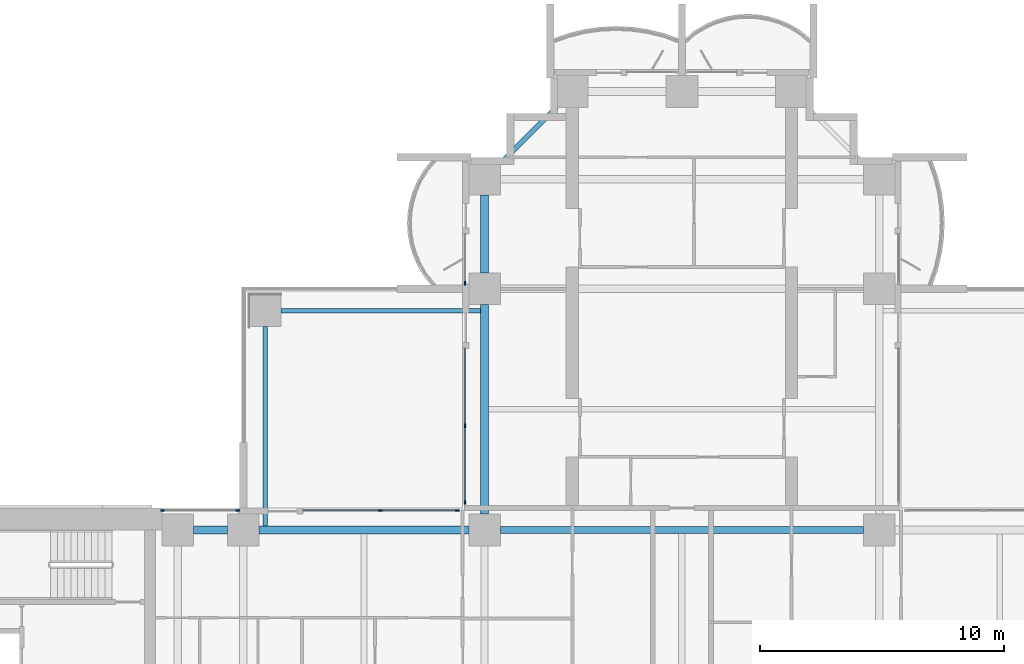
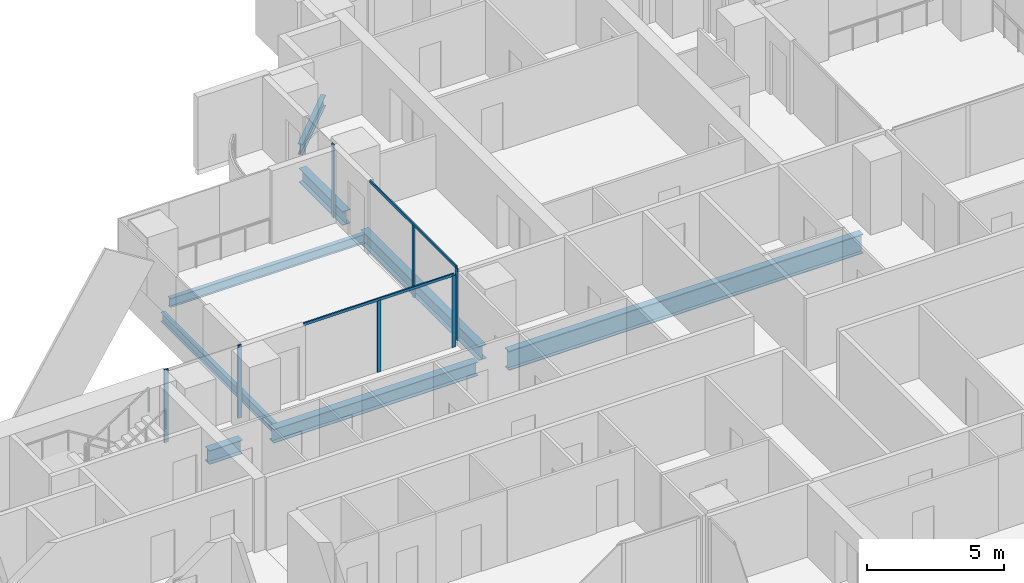
# One storey, part 6 of 21: 9 members, 8 beams, 4 elements without a shape of their own.
"""IFC4 building model written with IfcOpenShell, lengths in metres."""

from ifc_helpers import new_model, si_unit, direction, frame, origin, origin_2d, place, context, subcontext, project, spatial, rectangle, i_section, extrude, material, material_profile, profile_set, type_object, element, aggregate, save


model = new_model("IFC4")

# Units and contexts
model_context = context("Model", 3, precision=1e-05, world=origin(), true_north=direction((0.0, 1.0)))
body_context = subcontext(model_context, "Body", "Model", "MODEL_VIEW")
ifc_project = project(units=[si_unit("LENGTHUNIT", "METRE"), si_unit("AREAUNIT", "SQUARE_METRE"), si_unit("VOLUMEUNIT", "CUBIC_METRE"), si_unit("PLANEANGLEUNIT", "RADIAN"), si_unit("MASSUNIT", "GRAM", prefix="KILO")], contexts=[model_context])

# Site, building, storey
site_placement = place(None, origin())
site = spatial("IfcSite", under=ifc_project, at=site_placement, CompositionType="ELEMENT")
building_placement = place(site_placement, origin())
building = spatial("IfcBuilding", under=site, at=building_placement, Name="Perihelion Cross Residences", CompositionType="ELEMENT")
storey_placement = place(building_placement, frame((0.0, 0.0, 75.0)))
storey = spatial("IfcBuildingStorey", under=building, at=storey_placement, Name="L16", CompositionType="ELEMENT", Elevation=75.0)

# Curtain wall, member
ifc_material_1 = material(Name="Bronze anodised aluminium, tinted glazing", Category="aluminium")
curtain_wall_type = type_object("IfcCurtainWallType", Name="CW1", PredefinedType="NOTDEFINED", material=ifc_material_1)
curtain_wall_1_placement = place(storey_placement, origin())
curtain_wall_1 = element("IfcCurtainWall", 1, at=curtain_wall_1_placement, inside=storey, type_object=curtain_wall_type, Name="Curtain wall CW1 L16 north side west bay 1", PredefinedType="NOTDEFINED")
ifc_material_2 = material(Name="Bronze anodised aluminium", Category="aluminium")
ifc_material_profile_1 = material_profile(ifc_material_2, rectangle(XDim=0.06005859375, YDim=0.159912109375, at=origin_2d()), Name="CW1 mullion")
ifc_profile_set_1 = profile_set([ifc_material_profile_1], Name="Bronze anodised aluminium")
member_type_1 = type_object("IfcMemberType", Name="CW1 mullion", PredefinedType="MULLION", material=ifc_profile_set_1)
member_1_placement = place(storey_placement, frame((-8.89990234375, 18.22998046875, 0.0), z_axis=(0.0, 0.0, 1.0), x_axis=(1.0, 0.0, 0.0)))
member_1 = element("IfcMember", 2, at=member_1_placement, type_object=member_type_1, Name="CW1 mullion 2", PredefinedType="MULLION", context=body_context, shape_type="SweptSolid", body=[
    extrude(rectangle(XDim=0.06005859375, YDim=0.159912109375, at=origin_2d()), origin(), (0.0, 0.0, 1.0), 3.25),
])
aggregate(curtain_wall_1, [member_1])

# Curtain wall, members
curtain_wall_2_placement = place(storey_placement, origin())
curtain_wall_2 = element("IfcCurtainWall", 3, at=curtain_wall_2_placement, inside=storey, type_object=curtain_wall_type, Name="Curtain wall CW1 L16 north side west bay 2", PredefinedType="NOTDEFINED")
member_2_placement = place(storey_placement, frame((-8.89990234375, 12.375, 0.0), z_axis=(0.0, 0.0, 1.0), x_axis=(1.0, 0.0, 0.0)))
member_2 = element("IfcMember", 4, at=member_2_placement, type_object=member_type_1, Name="CW1 mullion 2", PredefinedType="MULLION", context=body_context, shape_type="SweptSolid", body=[
    extrude(rectangle(XDim=0.06005859375, YDim=0.159912109375, at=origin_2d()), origin(), (0.0, 0.0, 1.0), 3.18994140625),
])
member_3_placement = place(storey_placement, frame((-8.89990234375, 9.22998046875, 0.0), z_axis=(0.0, 0.0, 1.0), x_axis=(1.0, 0.0, 0.0)))
member_3 = element("IfcMember", 5, at=member_3_placement, type_object=member_type_1, Name="CW1 mullion 3", PredefinedType="MULLION", context=body_context, shape_type="SweptSolid", body=[
    extrude(rectangle(XDim=0.06005859375, YDim=0.159912109375, at=origin_2d()), origin(), (0.0, 0.0, 1.0), 3.18994140625),
])

curtain_wall_3_placement = place(storey_placement, origin())
curtain_wall_3 = element("IfcCurtainWall", 6, at=curtain_wall_3_placement, inside=storey, type_object=curtain_wall_type, Name="Curtain wall CW1 L16 west side north bay 1", PredefinedType="NOTDEFINED")
member_4_placement = place(storey_placement, frame((-9.22998046875, 8.89990234375, 0.0), z_axis=(0.0, 0.0, 1.0), x_axis=(0.0, -1.0, 0.0)))
member_4 = element("IfcMember", 7, at=member_4_placement, type_object=member_type_1, Name="CW1 mullion 1", PredefinedType="MULLION", context=body_context, shape_type="SweptSolid", body=[
    extrude(rectangle(XDim=0.06005859375, YDim=0.159912109375, at=origin_2d()), origin(), (0.0, 0.0, 1.0), 3.18994140625),
])
member_5_placement = place(storey_placement, frame((-12.375, 8.89990234375, 0.0), z_axis=(0.0, 0.0, 1.0), x_axis=(0.0, -1.0, 0.0)))
member_5 = element("IfcMember", 8, at=member_5_placement, type_object=member_type_1, Name="CW1 mullion 2", PredefinedType="MULLION", context=body_context, shape_type="SweptSolid", body=[
    extrude(rectangle(XDim=0.06005859375, YDim=0.159912109375, at=origin_2d()), origin(), (0.0, 0.0, 1.0), 3.18994140625),
])

curtain_wall_4_placement = place(storey_placement, origin())
curtain_wall_4 = element("IfcCurtainWall", 9, at=curtain_wall_4_placement, inside=storey, type_object=curtain_wall_type, Name="Curtain wall CW1 L16 west side north bay 2", PredefinedType="NOTDEFINED")
member_6_placement = place(storey_placement, frame((-18.22998046875, 8.89990234375, 0.0), z_axis=(0.0, 0.0, 1.0), x_axis=(0.0, -1.0, 0.0)))
member_6 = element("IfcMember", 10, at=member_6_placement, type_object=member_type_1, Name="CW1 mullion 1", PredefinedType="MULLION", context=body_context, shape_type="SweptSolid", body=[
    extrude(rectangle(XDim=0.06005859375, YDim=0.159912109375, at=origin_2d()), origin(), (0.0, 0.0, 1.0), 3.25),
])
member_7_placement = place(storey_placement, frame((-21.320068359375, 8.89990234375, 0.0), z_axis=(0.0, 0.0, 1.0), x_axis=(0.0, -1.0, 0.0)))
member_7 = element("IfcMember", 11, at=member_7_placement, type_object=member_type_1, Name="CW1 mullion 2", PredefinedType="MULLION", context=body_context, shape_type="SweptSolid", body=[
    extrude(rectangle(XDim=0.06005859375, YDim=0.159912109375, at=origin_2d()), origin(), (0.0, 0.0, 1.0), 3.25),
])
aggregate(curtain_wall_4, [member_6, member_7])

# Member
ifc_material_3 = material(Name="Bronze anodised aluminium", Category="aluminium")
ifc_material_profile_2 = material_profile(ifc_material_3, rectangle(XDim=0.06005859375, YDim=0.1201171875, at=origin_2d()), Name="CW1 transom")
ifc_profile_set_2 = profile_set([ifc_material_profile_2], Name="Bronze anodised aluminium")
member_type_2 = type_object("IfcMemberType", Name="CW1 transom", PredefinedType="USERDEFINED", material=ifc_profile_set_2)
member_8_placement = place(storey_placement, frame((-8.89990234375, 15.550048828125, 3.219970703125), z_axis=(0.0, -1.0, 0.0), x_axis=(1.0, 0.0, 0.0)))
member_8 = element("IfcMember", 12, at=member_8_placement, type_object=member_type_2, Name="CW1 head transom", ObjectType="TRANSOM", PredefinedType="USERDEFINED", context=body_context, shape_type="SweptSolid", body=[
    extrude(rectangle(XDim=0.06005859375, YDim=0.1201171875, at=origin_2d()), origin(), (0.0, 0.0, 1.0), 6.320068359375),
])

aggregate(curtain_wall_2, [member_2, member_3, member_8])

member_9_placement = place(storey_placement, frame((-9.22998046875, 8.89990234375, 3.219970703125), z_axis=(-1.0, 0.0, 0.0), x_axis=(0.0, -1.0, 0.0)))
member_9 = element("IfcMember", 13, at=member_9_placement, type_object=member_type_2, Name="CW1 head transom", ObjectType="TRANSOM", PredefinedType="USERDEFINED", context=body_context, shape_type="SweptSolid", body=[
    extrude(rectangle(XDim=0.06005859375, YDim=0.1201171875, at=origin_2d()), origin(), (0.0, 0.0, 1.0), 6.320068359375),
])

aggregate(curtain_wall_3, [member_4, member_5, member_9])

# Beams
ifc_material_4 = material(Name="Steel S355", Category="steel")
ifc_material_profile_3 = material_profile(ifc_material_4, i_section(OverallWidth=0.177978515625, OverallDepth=0.406005859375, WebThickness=0.0078125, FlangeThickness=0.0126953125, at=origin_2d()), Name="W410x60")
ifc_profile_set_3 = profile_set([ifc_material_profile_3], Name="Steel S355")
beam_type_1 = type_object("IfcBeamType", Name="Core edge beam W410x60", PredefinedType="BEAM", material=ifc_profile_set_3)
for number, where, z_axis, x_axis, name in (
    (14, (-17.10009765625, 8.262451171875, -0.452880859375), (0.0, 1.0, 0.0), (-1.0, 0.0, 0.0), "Core edge beam TB2 L16 corner no. 3"),
    (15, (-8.262451171875, 17.10009765625, -0.452880859375), (-1.0, 0.0, 0.0), (0.0, -1.0, 0.0), "Core edge beam TB2 L16 corner no. 4"),
):
    element("IfcBeam", number, at=place(storey_placement, frame(where, z_axis=z_axis, x_axis=x_axis)), inside=storey, type_object=beam_type_1, Name=name, PredefinedType="BEAM", context=body_context, shape_type="SweptSolid", body=[
        extrude(i_section(OverallWidth=0.177978515625, OverallDepth=0.406005859375, WebThickness=0.0078125, FlangeThickness=0.0126953125, at=origin_2d()), origin(), (0.0, 0.0, 1.0), 8.1875),
    ])
ifc_material_5 = material(Name="Steel S355", Category="steel")
ifc_material_profile_4 = material_profile(ifc_material_5, i_section(OverallWidth=0.324951171875, OverallDepth=0.616943359375, WebThickness=0.013916015625, FlangeThickness=0.021484375, at=origin_2d()), Name="W610x174")
ifc_profile_set_4 = profile_set([ifc_material_profile_4], Name="Steel S355")
beam_type_2 = type_object("IfcBeamType", Name="Edge beam W610x174", PredefinedType="SPANDREL", material=ifc_profile_set_4)
beam_1_placement = place(storey_placement, frame((-8.10009765625, 21.85009765625, -0.55859375), z_axis=(0.0, -1.0, 0.0), x_axis=(1.0, 0.0, 0.0)))
element("IfcBeam", 16, at=beam_1_placement, inside=storey, type_object=beam_type_2, Name="Edge beam SB2 L16 no. 8", PredefinedType="SPANDREL", context=body_context, shape_type="SweptSolid", body=[
    extrude(i_section(OverallWidth=0.324951171875, OverallDepth=0.616943359375, WebThickness=0.013916015625, FlangeThickness=0.021484375, at=origin_2d()), origin(), (0.0, 0.0, 1.0), 3.2001953125),
])
for number, where, z_axis, x_axis, name in (
    (17, (-8.10009765625, 17.35009765625, -0.55859375), (0.0, -1.0, 0.0), (1.0, 0.0, 0.0), "Edge beam SB2 L16 no. 7"),
    (18, (-8.75, 8.10009765625, -0.55859375), (-1.0, 0.0, 0.0), (0.0, -1.0, 0.0), "Edge beam SB2 L16 no. 9"),
):
    element("IfcBeam", number, at=place(storey_placement, frame(where, z_axis=z_axis, x_axis=x_axis)), inside=storey, type_object=beam_type_2, Name=name, PredefinedType="SPANDREL", context=body_context, shape_type="SweptSolid", body=[
        extrude(i_section(OverallWidth=0.324951171875, OverallDepth=0.616943359375, WebThickness=0.013916015625, FlangeThickness=0.021484375, at=origin_2d()), origin(), (0.0, 0.0, 1.0), 8.60009765625),
    ])
beam_2_placement = place(storey_placement, frame((-18.64990234375, 8.10009765625, -0.55859375), z_axis=(-1.0, 0.0, 0.0), x_axis=(0.0, -1.0, 0.0)))
element("IfcBeam", 19, at=beam_2_placement, inside=storey, type_object=beam_type_2, Name="Edge beam SB2 L16 no. 2", PredefinedType="SPANDREL", context=body_context, shape_type="SweptSolid", body=[
    extrude(i_section(OverallWidth=0.324951171875, OverallDepth=0.616943359375, WebThickness=0.013916015625, FlangeThickness=0.021484375, at=origin_2d()), origin(), (0.0, 0.0, 1.0), 1.400146484375),
])
ifc_material_6 = material(Name="Steel S355", Category="steel")
ifc_material_profile_5 = material_profile(ifc_material_6, i_section(OverallWidth=0.2919921875, OverallDepth=0.85888671875, WebThickness=0.01708984375, FlangeThickness=0.031005859375, at=origin_2d()), Name="W840x251")
ifc_profile_set_5 = profile_set([ifc_material_profile_5], Name="Steel S355")
beam_type_3 = type_object("IfcBeamType", Name="Hub ring girder W840x251", PredefinedType="BEAM", material=ifc_profile_set_5)
beam_3_placement = place(storey_placement, frame((7.449951171875, 8.10009765625, -0.679443359375), z_axis=(-1.0, 0.0, 0.0), x_axis=(0.0, -1.0, 0.0)))
element("IfcBeam", 20, at=beam_3_placement, inside=storey, type_object=beam_type_3, Name="Hub ring girder RG2 L16 no. 4", PredefinedType="BEAM", context=body_context, shape_type="SweptSolid", body=[
    extrude(i_section(OverallWidth=0.2919921875, OverallDepth=0.85888671875, WebThickness=0.01708984375, FlangeThickness=0.031005859375, at=origin_2d()), origin(), (0.0, 0.0, 1.0), 14.89990234375),
])
ifc_material_7 = material(Name="Steel S355", Category="steel")
ifc_material_profile_6 = material_profile(ifc_material_7, i_section(OverallWidth=0.194091796875, OverallDepth=0.469970703125, WebThickness=0.0126953125, FlangeThickness=0.0205078125, at=origin_2d()), Name="W460x106")
ifc_profile_set_6 = profile_set([ifc_material_profile_6], Name="Steel S355")
beam_type_4 = type_object("IfcBeamType", Name="Serration edge beam W460x106", PredefinedType="BEAM", material=ifc_profile_set_6)
beam_4_placement = place(storey_placement, frame((-5.14990234375, 25.449951171875, -0.485107421875), z_axis=(-0.707106781187, -0.707106781187, 0.0), x_axis=(0.707106781187, -0.707106781187, 0.0)))
element("IfcBeam", 21, at=beam_4_placement, inside=storey, type_object=beam_type_4, Name="Serration edge beam EB2 L16 no. 1", PredefinedType="BEAM", context=body_context, shape_type="SweptSolid", body=[
    extrude(i_section(OverallWidth=0.194091796875, OverallDepth=0.469970703125, WebThickness=0.0126953125, FlangeThickness=0.0205078125, at=origin_2d()), origin(), (0.0, 0.0, 1.0), 3.252685546875),
])

save(model, "model.ifc")
